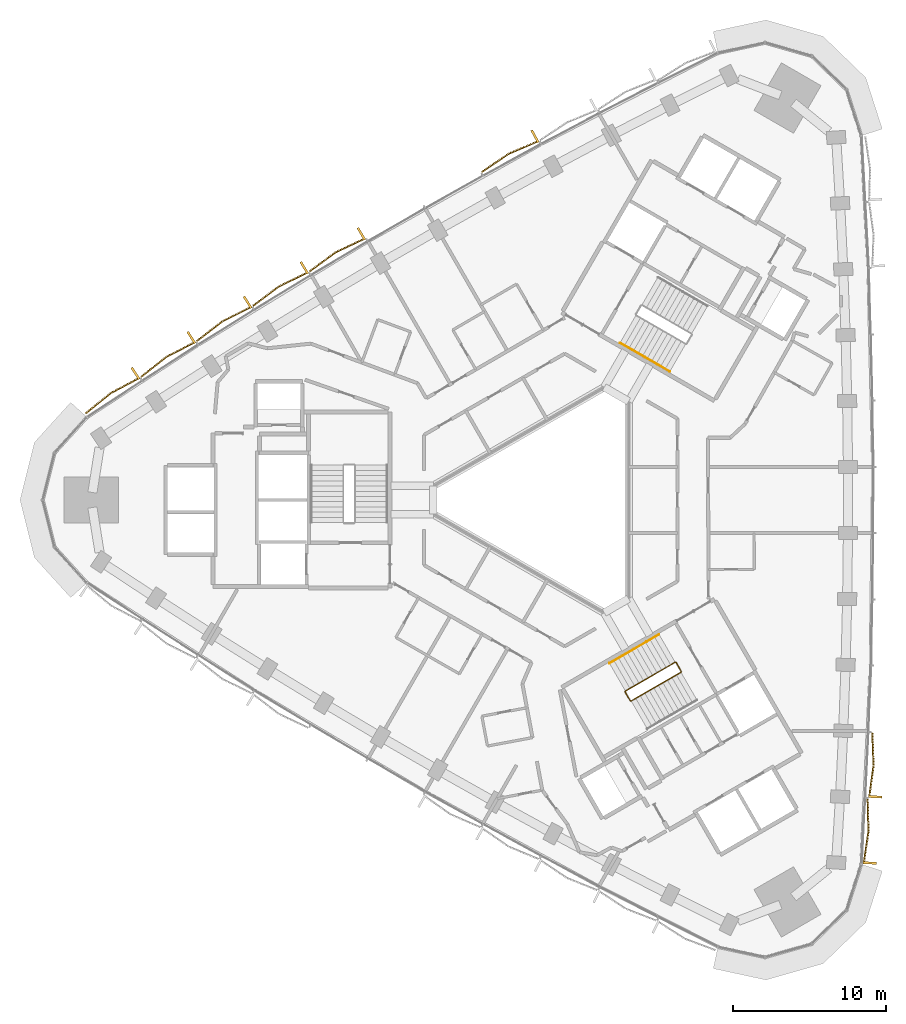
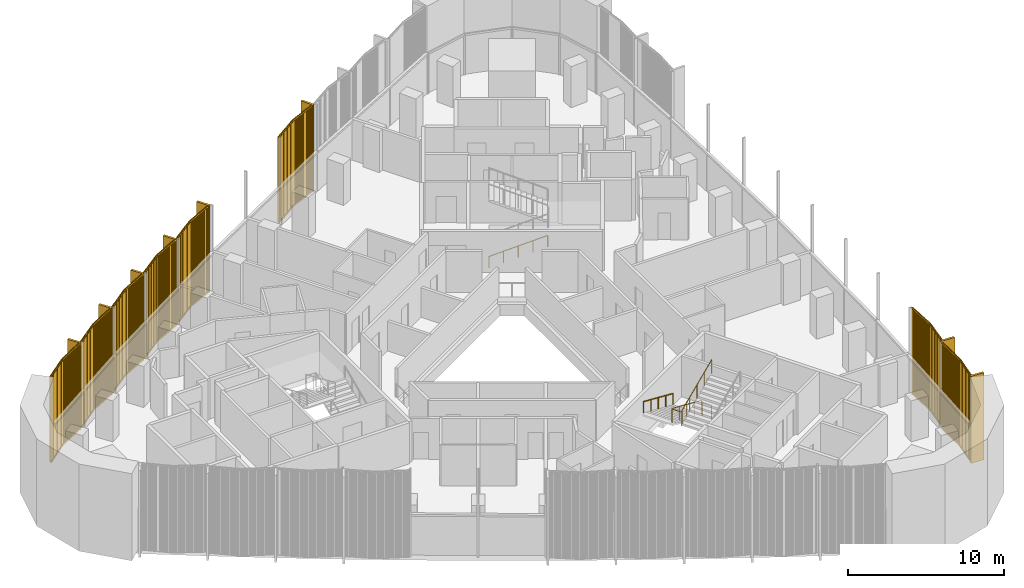
# One storey, part 14 of 15: 8 coverings, 3 railings.
"""IFC4 building model written with IfcOpenShell, lengths in metres."""

from ifc_helpers import new_model, si_unit, direction, frame, frame_2d, origin, origin_2d, place, context, subcontext, project, spatial, rectangle, circle, extrude, source, transform, mapped, material, type_object, element, save


model = new_model("IFC4")

# Units and contexts
model_context = context("Model", 3, precision=1e-05, world=origin(), true_north=direction((0.0, 1.0)))
body_context = subcontext(model_context, "Body", "Model", "MODEL_VIEW")
ifc_project = project(units=[si_unit("LENGTHUNIT", "METRE"), si_unit("AREAUNIT", "SQUARE_METRE"), si_unit("VOLUMEUNIT", "CUBIC_METRE"), si_unit("PLANEANGLEUNIT", "RADIAN"), si_unit("MASSUNIT", "GRAM", prefix="KILO")], contexts=[model_context])

# Site, building, storey
site_placement = place(None, origin())
site = spatial("IfcSite", under=ifc_project, at=site_placement, CompositionType="ELEMENT")
building_placement = place(site_placement, origin())
building = spatial("IfcBuilding", under=site, at=building_placement, Name="Tamra Quay Hotel Tower", CompositionType="ELEMENT")
storey_placement = place(building_placement, frame((0.0, 0.0, 157.60009765625)))
storey = spatial("IfcBuildingStorey", under=building, at=storey_placement, Name="L39", CompositionType="ELEMENT", Elevation=157.60009765625)

# Railings
ifc_material_1 = material(Name="Stair guard 1100")
railing_type_1 = type_object("IfcRailingType", Name="Stair guard 1100", PredefinedType="GUARDRAIL", material=ifc_material_1)
railing_1_placement = place(storey_placement, frame((8.245849609375, -11.221923828125, 0.0)))
element("IfcRailing", 1, at=railing_1_placement, inside=storey, type_object=railing_type_1, Name="GR", PredefinedType="GUARDRAIL", context=body_context, shape_type="SweptSolid", body=[
    extrude(circle(Radius=0.02392578125, at=origin_2d()), frame((0.0, 0.0, 1.076171875), z_axis=(-0.500043078269, 0.866000531106, 0.0), x_axis=(-0.866000531106, -0.500043078269, 0.0)), (0.0, 0.0, 1.0), 0.6591796875),
    extrude(circle(Radius=0.02392578125, at=origin_2d()), frame((-0.32958984375, 0.57080078125, 1.076171875), z_axis=(-0.41238007866, 0.110458949641, 0.904290601062), x_axis=(-0.258736085224, -0.965948051503, 0.0)), (0.0, 0.0, 1.0), 0.165771484375),
    extrude(circle(Radius=0.02392578125, at=origin_2d()), frame((-0.39794921875, 0.589111328125, 1.22607421875), z_axis=(-0.793100512587, -0.457912285461, 0.401631567183), x_axis=(0.500012686397, -0.866018079166, 0.0)), (0.0, 0.0, 1.0), 4.10791015625),
    extrude(circle(Radius=0.02392578125, at=origin_2d()), frame((-3.656005859375, -1.2919921875, 2.8759765625), z_axis=(-0.256368644879, -0.966579080015, 0.0), x_axis=(0.966579080015, -0.256368644879, 0.0)), (0.0, 0.0, 1.0), 0.070556640625),
    extrude(circle(Radius=0.02392578125, at=origin_2d()), frame((-3.674072265625, -1.360107421875, 2.8759765625), z_axis=(0.499765215335, -0.866160914346, 0.0), x_axis=(0.866160914346, 0.499765215335, 0.0)), (0.0, 0.0, 1.0), 0.658935546875),
    extrude(circle(Radius=0.02392578125, at=origin_2d()), frame((-3.3447265625, -1.930908203125, 2.8759765625), z_axis=(0.411831509231, -0.110312011401, 0.90455849349), x_axis=(0.258736085224, 0.965948051503, 0.0)), (0.0, 0.0, 1.0), 0.166015625),
    extrude(circle(Radius=0.02392578125, at=origin_2d()), frame((-3.2763671875, -1.94921875, 3.02587890625), z_axis=(0.793100512587, 0.457912285461, 0.401631567183), x_axis=(-0.500012686397, 0.866018079166, 0.0)), (0.0, 0.0, 1.0), 4.10791015625),
    extrude(circle(Radius=0.02099609375, at=origin_2d()), origin(), (0.0, 0.0, 1.0), 1.052001953125),
    extrude(circle(Radius=0.02099609375, at=origin_2d()), frame((-0.32958984375, 0.57080078125, 0.0)), (0.0, 0.0, 1.0), 1.052001953125),
    extrude(circle(Radius=0.02099609375, at=origin_2d()), frame((-0.39794921875, 0.589111328125, 0.14990234375)), (0.0, 0.0, 1.0), 1.052001953125),
    extrude(circle(Radius=0.02099609375, at=origin_2d()), frame((-1.21240234375, 0.118896484375, 0.5625)), (0.0, 0.0, 1.0), 1.052001953125),
    extrude(circle(Radius=0.02099609375, at=origin_2d()), frame((-2.02685546875, -0.3515625, 0.974853515625)), (0.0, 0.0, 1.0), 1.052001953125),
    extrude(circle(Radius=0.02099609375, at=origin_2d()), frame((-2.841552734375, -0.82177734375, 1.38720703125)), (0.0, 0.0, 1.0), 1.052001953125),
    extrude(circle(Radius=0.02099609375, at=origin_2d()), frame((-3.656005859375, -1.2919921875, 1.7998046875)), (0.0, 0.0, 1.0), 1.052001953125),
    extrude(circle(Radius=0.02099609375, at=origin_2d()), frame((-3.674072265625, -1.360107421875, 1.7998046875)), (0.0, 0.0, 1.0), 1.052001953125),
    extrude(circle(Radius=0.02099609375, at=origin_2d()), frame((-3.3447265625, -1.930908203125, 1.7998046875)), (0.0, 0.0, 1.0), 1.052001953125),
    extrude(circle(Radius=0.02099609375, at=origin_2d()), frame((-3.2763671875, -1.94921875, 1.949951171875)), (0.0, 0.0, 1.0), 1.052001953125),
    extrude(circle(Radius=0.02099609375, at=origin_2d()), frame((-2.4619140625, -1.47900390625, 2.3623046875)), (0.0, 0.0, 1.0), 1.052001953125),
    extrude(circle(Radius=0.02099609375, at=origin_2d()), frame((-1.6474609375, -1.0087890625, 2.77490234375)), (0.0, 0.0, 1.0), 1.052001953125),
    extrude(circle(Radius=0.02099609375, at=origin_2d()), frame((-0.832763671875, -0.538330078125, 3.1875)), (0.0, 0.0, 1.0), 1.052001953125),
    extrude(circle(Radius=0.02099609375, at=origin_2d()), frame((-0.018310546875, -0.068115234375, 3.599853515625)), (0.0, 0.0, 1.0), 1.052001953125),
])
ifc_material_2 = material(Name="Stair handrail 900")
railing_type_2 = type_object("IfcRailingType", Name="Stair handrail 900", PredefinedType="HANDRAIL", material=ifc_material_2)
railing_2_placement = place(storey_placement, frame((4.234375, 10.294189453125, 0.14990234375)))
element("IfcRailing", 2, at=railing_2_placement, inside=storey, type_object=railing_type_2, Name="HR", PredefinedType="HANDRAIL", context=body_context, shape_type="SweptSolid", body=[
    extrude(circle(Radius=0.02392578125, at=origin_2d()), frame((0.0, 0.0, 0.8759765625), z_axis=(0.793122095483, -0.45786531462, 0.401642496911), x_axis=(0.499964013922, 0.86604617936, 0.0)), (0.0, 0.0, 1.0), 4.10791015625),
    extrude(circle(Radius=0.02099609375, at=origin_2d()), origin(), (0.0, 0.0, 1.0), 0.851806640625),
    extrude(circle(Radius=0.02099609375, at=origin_2d()), frame((0.814453125, -0.47021484375, 0.41259765625)), (0.0, 0.0, 1.0), 0.851806640625),
    extrude(circle(Radius=0.02099609375, at=origin_2d()), frame((1.62890625, -0.9404296875, 0.824951171875)), (0.0, 0.0, 1.0), 0.851806640625),
    extrude(circle(Radius=0.02099609375, at=origin_2d()), frame((2.443603515625, -1.41064453125, 1.2373046875)), (0.0, 0.0, 1.0), 0.851806640625),
    extrude(circle(Radius=0.02099609375, at=origin_2d()), frame((3.258056640625, -1.880859375, 1.64990234375)), (0.0, 0.0, 1.0), 0.851806640625),
])
railing_3_placement = place(storey_placement, frame((6.7978515625, -8.814208984375, 0.14990234375)))
element("IfcRailing", 3, at=railing_3_placement, inside=storey, type_object=railing_type_2, Name="HR", PredefinedType="HANDRAIL", context=body_context, shape_type="SweptSolid", body=[
    extrude(circle(Radius=0.02392578125, at=origin_2d()), frame((0.0, 0.0, 0.8759765625), z_axis=(-0.79310004713, -0.457886897714, 0.401661429744), x_axis=(0.499992114976, -0.866029956157, 0.0)), (0.0, 0.0, 1.0), 4.107666015625),
    extrude(circle(Radius=0.02099609375, at=origin_2d()), origin(), (0.0, 0.0, 1.0), 0.851806640625),
    extrude(circle(Radius=0.02099609375, at=origin_2d()), frame((-0.814453125, -0.47021484375, 0.41259765625)), (0.0, 0.0, 1.0), 0.851806640625),
    extrude(circle(Radius=0.02099609375, at=origin_2d()), frame((-1.62890625, -0.9404296875, 0.824951171875)), (0.0, 0.0, 1.0), 0.851806640625),
    extrude(circle(Radius=0.02099609375, at=origin_2d()), frame((-2.443359375, -1.41064453125, 1.2373046875)), (0.0, 0.0, 1.0), 0.851806640625),
    extrude(circle(Radius=0.02099609375, at=origin_2d()), frame((-3.2578125, -1.880859375, 1.64990234375)), (0.0, 0.0, 1.0), 0.851806640625),
])

# Coverings
ifc_material_3 = material(Name="Terracotta baguette extruded", Category="masonry")
covering_type_1 = type_object("IfcCoveringType", Name="BAGUETTE SCREEN E-V H6800", PredefinedType="USERDEFINED", material=ifc_material_3)
shared_shape_1 = source(origin(), body_context, "Body", "SweptSolid", [
    extrude(rectangle(XDim=2.140625, YDim=0.06005859375, at=frame_2d((1.0703125, 0.030029296875))), frame((-2.1376953125, -0.057861328125, -0.1201171875), z_axis=(0.0, 0.0, 1.0), x_axis=(0.996194698092, -0.087155742748, 0.0)), (0.0, 0.0, 1.0), 0.1201171875),
    extrude(rectangle(XDim=2.140625, YDim=0.06005859375, at=frame_2d((1.0703125, 0.030029296875))), frame((-2.1376953125, -0.057861328125, -6.800048828125), z_axis=(0.0, 0.0, 1.0), x_axis=(0.996194698092, -0.087155742748, 0.0)), (0.0, 0.0, 1.0), 0.1201171875),
    extrude(rectangle(XDim=0.070068359375, YDim=0.10009765625, at=frame_2d((0.03515625, 0.050048828125))), frame((-2.11669921875, -0.13232421875, -6.739990234375)), (0.0, 0.0, 1.0), 6.679931640625),
    extrude(rectangle(XDim=0.070068359375, YDim=0.10009765625, at=frame_2d((0.03515625, 0.050048828125))), frame((-2.01513671875, -0.141357421875, -6.739990234375)), (0.0, 0.0, 1.0), 6.679931640625),
    extrude(rectangle(XDim=0.070068359375, YDim=0.10009765625, at=frame_2d((0.03515625, 0.050048828125))), frame((-1.91357421875, -0.150146484375, -6.739990234375)), (0.0, 0.0, 1.0), 6.679931640625),
    extrude(rectangle(XDim=0.070068359375, YDim=0.10009765625, at=frame_2d((0.03515625, 0.050048828125))), frame((-1.81201171875, -0.1591796875, -6.739990234375)), (0.0, 0.0, 1.0), 6.679931640625),
    extrude(rectangle(XDim=0.070068359375, YDim=0.10009765625, at=frame_2d((0.03515625, 0.050048828125))), frame((-1.71044921875, -0.16796875, -6.739990234375)), (0.0, 0.0, 1.0), 6.679931640625),
    extrude(rectangle(XDim=0.070068359375, YDim=0.10009765625, at=frame_2d((0.03515625, 0.050048828125))), frame((-1.60888671875, -0.1767578125, -6.739990234375)), (0.0, 0.0, 1.0), 6.679931640625),
    extrude(rectangle(XDim=0.070068359375, YDim=0.10009765625, at=frame_2d((0.03515625, 0.050048828125))), frame((-1.50732421875, -0.185791015625, -6.739990234375)), (0.0, 0.0, 1.0), 6.679931640625),
    extrude(rectangle(XDim=0.070068359375, YDim=0.10009765625, at=frame_2d((0.03515625, 0.050048828125))), frame((-1.406005859375, -0.194580078125, -6.739990234375)), (0.0, 0.0, 1.0), 6.679931640625),
    extrude(rectangle(XDim=0.070068359375, YDim=0.10009765625, at=frame_2d((0.03515625, 0.050048828125))), frame((-1.304443359375, -0.20361328125, -6.739990234375)), (0.0, 0.0, 1.0), 6.679931640625),
    extrude(rectangle(XDim=0.070068359375, YDim=0.10009765625, at=frame_2d((0.03515625, 0.050048828125))), frame((-1.202880859375, -0.21240234375, -6.739990234375)), (0.0, 0.0, 1.0), 6.679931640625),
    extrude(rectangle(XDim=0.070068359375, YDim=0.10009765625, at=frame_2d((0.03515625, 0.050048828125))), frame((-1.101318359375, -0.22119140625, -6.739990234375)), (0.0, 0.0, 1.0), 6.679931640625),
    extrude(rectangle(XDim=0.070068359375, YDim=0.10009765625, at=frame_2d((0.03515625, 0.050048828125))), frame((-0.999755859375, -0.230224609375, -6.739990234375)), (0.0, 0.0, 1.0), 6.679931640625),
    extrude(rectangle(XDim=0.070068359375, YDim=0.10009765625, at=frame_2d((0.03515625, 0.050048828125))), frame((-0.898193359375, -0.239013671875, -6.739990234375)), (0.0, 0.0, 1.0), 6.679931640625),
    extrude(rectangle(XDim=0.070068359375, YDim=0.10009765625, at=frame_2d((0.03515625, 0.050048828125))), frame((-0.796630859375, -0.248046875, -6.739990234375)), (0.0, 0.0, 1.0), 6.679931640625),
    extrude(rectangle(XDim=0.070068359375, YDim=0.10009765625, at=frame_2d((0.03515625, 0.050048828125))), frame((-0.695068359375, -0.2568359375, -6.739990234375)), (0.0, 0.0, 1.0), 6.679931640625),
    extrude(rectangle(XDim=0.070068359375, YDim=0.10009765625, at=frame_2d((0.03515625, 0.050048828125))), frame((-0.593505859375, -0.265625, -6.739990234375)), (0.0, 0.0, 1.0), 6.679931640625),
    extrude(rectangle(XDim=0.070068359375, YDim=0.10009765625, at=frame_2d((0.03515625, 0.050048828125))), frame((-0.491943359375, -0.274658203125, -6.739990234375)), (0.0, 0.0, 1.0), 6.679931640625),
    extrude(rectangle(XDim=0.070068359375, YDim=0.10009765625, at=frame_2d((0.03515625, 0.050048828125))), frame((-0.390380859375, -0.283447265625, -6.739990234375)), (0.0, 0.0, 1.0), 6.679931640625),
    extrude(rectangle(XDim=0.070068359375, YDim=0.10009765625, at=frame_2d((0.03515625, 0.050048828125))), frame((-0.288818359375, -0.29248046875, -6.739990234375)), (0.0, 0.0, 1.0), 6.679931640625),
    extrude(rectangle(XDim=0.070068359375, YDim=0.10009765625, at=frame_2d((0.03515625, 0.050048828125))), frame((-0.187255859375, -0.30126953125, -6.739990234375)), (0.0, 0.0, 1.0), 6.679931640625),
    extrude(rectangle(XDim=0.070068359375, YDim=0.10009765625, at=frame_2d((0.03515625, 0.050048828125))), frame((-0.085693359375, -0.31005859375, -6.739990234375)), (0.0, 0.0, 1.0), 6.679931640625),
    extrude(rectangle(XDim=2.140625, YDim=0.06005859375, at=frame_2d((1.0703125, 0.030029296875))), frame((0.005126953125, -0.244384765625, -0.1201171875), z_axis=(0.0, 0.0, 1.0), x_axis=(0.996194698092, 0.087155742748, 0.0)), (0.0, 0.0, 1.0), 0.1201171875),
    extrude(rectangle(XDim=2.140625, YDim=0.06005859375, at=frame_2d((1.0703125, 0.030029296875))), frame((0.005126953125, -0.244384765625, -6.800048828125), z_axis=(0.0, 0.0, 1.0), x_axis=(0.996194698092, 0.087155742748, 0.0)), (0.0, 0.0, 1.0), 0.1201171875),
    extrude(rectangle(XDim=0.070068359375, YDim=0.10009765625, at=frame_2d((0.03515625, 0.050048828125))), frame((0.015869140625, -0.31005859375, -6.739990234375)), (0.0, 0.0, 1.0), 6.679931640625),
    extrude(rectangle(XDim=0.070068359375, YDim=0.10009765625, at=frame_2d((0.03515625, 0.050048828125))), frame((0.117431640625, -0.30126953125, -6.739990234375)), (0.0, 0.0, 1.0), 6.679931640625),
    extrude(rectangle(XDim=0.070068359375, YDim=0.10009765625, at=frame_2d((0.03515625, 0.050048828125))), frame((0.21875, -0.29248046875, -6.739990234375)), (0.0, 0.0, 1.0), 6.679931640625),
    extrude(rectangle(XDim=0.070068359375, YDim=0.10009765625, at=frame_2d((0.03515625, 0.050048828125))), frame((0.3203125, -0.283447265625, -6.739990234375)), (0.0, 0.0, 1.0), 6.679931640625),
    extrude(rectangle(XDim=0.070068359375, YDim=0.10009765625, at=frame_2d((0.03515625, 0.050048828125))), frame((0.421875, -0.274658203125, -6.739990234375)), (0.0, 0.0, 1.0), 6.679931640625),
    extrude(rectangle(XDim=0.070068359375, YDim=0.10009765625, at=frame_2d((0.03515625, 0.050048828125))), frame((0.5234375, -0.265625, -6.739990234375)), (0.0, 0.0, 1.0), 6.679931640625),
    extrude(rectangle(XDim=0.070068359375, YDim=0.10009765625, at=frame_2d((0.03515625, 0.050048828125))), frame((0.625, -0.2568359375, -6.739990234375)), (0.0, 0.0, 1.0), 6.679931640625),
    extrude(rectangle(XDim=0.070068359375, YDim=0.10009765625, at=frame_2d((0.03515625, 0.050048828125))), frame((0.7265625, -0.248046875, -6.739990234375)), (0.0, 0.0, 1.0), 6.679931640625),
    extrude(rectangle(XDim=0.070068359375, YDim=0.10009765625, at=frame_2d((0.03515625, 0.050048828125))), frame((0.828125, -0.239013671875, -6.739990234375)), (0.0, 0.0, 1.0), 6.679931640625),
    extrude(rectangle(XDim=0.070068359375, YDim=0.10009765625, at=frame_2d((0.03515625, 0.050048828125))), frame((0.9296875, -0.230224609375, -6.739990234375)), (0.0, 0.0, 1.0), 6.679931640625),
    extrude(rectangle(XDim=0.070068359375, YDim=0.10009765625, at=frame_2d((0.03515625, 0.050048828125))), frame((1.03125, -0.22119140625, -6.739990234375)), (0.0, 0.0, 1.0), 6.679931640625),
    extrude(rectangle(XDim=0.070068359375, YDim=0.10009765625, at=frame_2d((0.03515625, 0.050048828125))), frame((1.1328125, -0.21240234375, -6.739990234375)), (0.0, 0.0, 1.0), 6.679931640625),
    extrude(rectangle(XDim=0.070068359375, YDim=0.10009765625, at=frame_2d((0.03515625, 0.050048828125))), frame((1.234375, -0.20361328125, -6.739990234375)), (0.0, 0.0, 1.0), 6.679931640625),
    extrude(rectangle(XDim=0.070068359375, YDim=0.10009765625, at=frame_2d((0.03515625, 0.050048828125))), frame((1.3359375, -0.194580078125, -6.739990234375)), (0.0, 0.0, 1.0), 6.679931640625),
    extrude(rectangle(XDim=0.070068359375, YDim=0.10009765625, at=frame_2d((0.03515625, 0.050048828125))), frame((1.4375, -0.185791015625, -6.739990234375)), (0.0, 0.0, 1.0), 6.679931640625),
    extrude(rectangle(XDim=0.070068359375, YDim=0.10009765625, at=frame_2d((0.03515625, 0.050048828125))), frame((1.5390625, -0.1767578125, -6.739990234375)), (0.0, 0.0, 1.0), 6.679931640625),
    extrude(rectangle(XDim=0.070068359375, YDim=0.10009765625, at=frame_2d((0.03515625, 0.050048828125))), frame((1.640625, -0.16796875, -6.739990234375)), (0.0, 0.0, 1.0), 6.679931640625),
    extrude(rectangle(XDim=0.070068359375, YDim=0.10009765625, at=frame_2d((0.03515625, 0.050048828125))), frame((1.7421875, -0.1591796875, -6.739990234375)), (0.0, 0.0, 1.0), 6.679931640625),
    extrude(rectangle(XDim=0.070068359375, YDim=0.10009765625, at=frame_2d((0.03515625, 0.050048828125))), frame((1.84375, -0.150146484375, -6.739990234375)), (0.0, 0.0, 1.0), 6.679931640625),
    extrude(rectangle(XDim=0.070068359375, YDim=0.10009765625, at=frame_2d((0.03515625, 0.050048828125))), frame((1.945068359375, -0.141357421875, -6.739990234375)), (0.0, 0.0, 1.0), 6.679931640625),
    extrude(rectangle(XDim=0.070068359375, YDim=0.10009765625, at=frame_2d((0.03515625, 0.050048828125))), frame((2.046630859375, -0.13232421875, -6.739990234375)), (0.0, 0.0, 1.0), 6.679931640625),
    extrude(rectangle(XDim=0.14990234375, YDim=0.902099609375, at=frame_2d((0.074951171875, 0.451171875))), frame((-2.132568359375, -0.89990234375, -6.800048828125)), (0.0, 0.0, 1.0), 6.800048828125),
])
for number, where, z_axis, x_axis, name in (
    (4, (20.26953125, -21.70361328125, 6.7998046875), (0.0, 0.0, 1.0), (0.05964191564, 0.998219836458, 0.0), "Baguette screen L39.E.f00"),
    (5, (20.6025390625, -17.371826171875, 6.7998046875), (0.0, 0.0, 1.0), (0.04774710654, 0.998859456489, 0.0), "Baguette screen L39.E.f01"),
):
    element("IfcCovering", number, at=place(storey_placement, frame(where, z_axis=z_axis, x_axis=x_axis)), inside=storey, type_object=covering_type_1, Name=name, ObjectType="BAGUETTE SCREEN", PredefinedType="USERDEFINED", context=body_context, shape_type="MappedRepresentation", body=[
        mapped(shared_shape_1, transform((0.0, 0.0, 0.0), scale=1.0)),
    ])
covering_type_2 = type_object("IfcCoveringType", Name="BAGUETTE SCREEN NW-V H6800", PredefinedType="USERDEFINED", material=ifc_material_3)
shared_shape_2 = source(origin(), body_context, "Body", "SweptSolid", [
    extrude(rectangle(XDim=2.142333984375, YDim=0.06005859375, at=frame_2d((1.0712890625, 0.030029296875))), frame((-2.13818359375, -0.0576171875, -0.1201171875), z_axis=(0.0, 0.0, 1.0), x_axis=(0.995396198367, -0.09584575252, 0.0)), (0.0, 0.0, 1.0), 0.1201171875),
    extrude(rectangle(XDim=2.142333984375, YDim=0.06005859375, at=frame_2d((1.0712890625, 0.030029296875))), frame((-2.13818359375, -0.0576171875, -6.800048828125), z_axis=(0.0, 0.0, 1.0), x_axis=(0.995396198367, -0.09584575252, 0.0)), (0.0, 0.0, 1.0), 0.1201171875),
    extrude(rectangle(XDim=0.070068359375, YDim=0.10009765625, at=frame_2d((0.03515625, 0.050048828125))), frame((-2.11669921875, -0.1328125, -6.739990234375)), (0.0, 0.0, 1.0), 6.679931640625),
    extrude(rectangle(XDim=0.070068359375, YDim=0.10009765625, at=frame_2d((0.03515625, 0.050048828125))), frame((-2.01513671875, -0.142578125, -6.739990234375)), (0.0, 0.0, 1.0), 6.679931640625),
    extrude(rectangle(XDim=0.070068359375, YDim=0.10009765625, at=frame_2d((0.03515625, 0.050048828125))), frame((-1.91357421875, -0.15234375, -6.739990234375)), (0.0, 0.0, 1.0), 6.679931640625),
    extrude(rectangle(XDim=0.070068359375, YDim=0.10009765625, at=frame_2d((0.03515625, 0.050048828125))), frame((-1.81201171875, -0.162109375, -6.739990234375)), (0.0, 0.0, 1.0), 6.679931640625),
    extrude(rectangle(XDim=0.070068359375, YDim=0.10009765625, at=frame_2d((0.03515625, 0.050048828125))), frame((-1.71044921875, -0.172119140625, -6.739990234375)), (0.0, 0.0, 1.0), 6.679931640625),
    extrude(rectangle(XDim=0.070068359375, YDim=0.10009765625, at=frame_2d((0.03515625, 0.050048828125))), frame((-1.60888671875, -0.181884765625, -6.739990234375)), (0.0, 0.0, 1.0), 6.679931640625),
    extrude(rectangle(XDim=0.070068359375, YDim=0.10009765625, at=frame_2d((0.03515625, 0.050048828125))), frame((-1.50732421875, -0.191650390625, -6.739990234375)), (0.0, 0.0, 1.0), 6.679931640625),
    extrude(rectangle(XDim=0.070068359375, YDim=0.10009765625, at=frame_2d((0.03515625, 0.050048828125))), frame((-1.406005859375, -0.201416015625, -6.739990234375)), (0.0, 0.0, 1.0), 6.679931640625),
    extrude(rectangle(XDim=0.070068359375, YDim=0.10009765625, at=frame_2d((0.03515625, 0.050048828125))), frame((-1.304443359375, -0.211181640625, -6.739990234375)), (0.0, 0.0, 1.0), 6.679931640625),
    extrude(rectangle(XDim=0.070068359375, YDim=0.10009765625, at=frame_2d((0.03515625, 0.050048828125))), frame((-1.202880859375, -0.220947265625, -6.739990234375)), (0.0, 0.0, 1.0), 6.679931640625),
    extrude(rectangle(XDim=0.070068359375, YDim=0.10009765625, at=frame_2d((0.03515625, 0.050048828125))), frame((-1.101318359375, -0.230712890625, -6.739990234375)), (0.0, 0.0, 1.0), 6.679931640625),
    extrude(rectangle(XDim=0.070068359375, YDim=0.10009765625, at=frame_2d((0.03515625, 0.050048828125))), frame((-0.999755859375, -0.240478515625, -6.739990234375)), (0.0, 0.0, 1.0), 6.679931640625),
    extrude(rectangle(XDim=0.070068359375, YDim=0.10009765625, at=frame_2d((0.03515625, 0.050048828125))), frame((-0.898193359375, -0.250244140625, -6.739990234375)), (0.0, 0.0, 1.0), 6.679931640625),
    extrude(rectangle(XDim=0.070068359375, YDim=0.10009765625, at=frame_2d((0.03515625, 0.050048828125))), frame((-0.796630859375, -0.260009765625, -6.739990234375)), (0.0, 0.0, 1.0), 6.679931640625),
    extrude(rectangle(XDim=0.070068359375, YDim=0.10009765625, at=frame_2d((0.03515625, 0.050048828125))), frame((-0.695068359375, -0.269775390625, -6.739990234375)), (0.0, 0.0, 1.0), 6.679931640625),
    extrude(rectangle(XDim=0.070068359375, YDim=0.10009765625, at=frame_2d((0.03515625, 0.050048828125))), frame((-0.593505859375, -0.279541015625, -6.739990234375)), (0.0, 0.0, 1.0), 6.679931640625),
    extrude(rectangle(XDim=0.070068359375, YDim=0.10009765625, at=frame_2d((0.03515625, 0.050048828125))), frame((-0.491943359375, -0.289306640625, -6.739990234375)), (0.0, 0.0, 1.0), 6.679931640625),
    extrude(rectangle(XDim=0.070068359375, YDim=0.10009765625, at=frame_2d((0.03515625, 0.050048828125))), frame((-0.390380859375, -0.299072265625, -6.739990234375)), (0.0, 0.0, 1.0), 6.679931640625),
    extrude(rectangle(XDim=0.070068359375, YDim=0.10009765625, at=frame_2d((0.03515625, 0.050048828125))), frame((-0.288818359375, -0.308837890625, -6.739990234375)), (0.0, 0.0, 1.0), 6.679931640625),
    extrude(rectangle(XDim=0.070068359375, YDim=0.10009765625, at=frame_2d((0.03515625, 0.050048828125))), frame((-0.187255859375, -0.318603515625, -6.739990234375)), (0.0, 0.0, 1.0), 6.679931640625),
    extrude(rectangle(XDim=0.070068359375, YDim=0.10009765625, at=frame_2d((0.03515625, 0.050048828125))), frame((-0.085693359375, -0.328369140625, -6.739990234375)), (0.0, 0.0, 1.0), 6.679931640625),
    extrude(rectangle(XDim=2.142333984375, YDim=0.06005859375, at=frame_2d((1.0712890625, 0.030029296875))), frame((0.005859375, -0.262939453125, -0.1201171875), z_axis=(0.0, 0.0, 1.0), x_axis=(0.995396198367, 0.09584575252, 0.0)), (0.0, 0.0, 1.0), 0.1201171875),
    extrude(rectangle(XDim=2.142333984375, YDim=0.06005859375, at=frame_2d((1.0712890625, 0.030029296875))), frame((0.005859375, -0.262939453125, -6.800048828125), z_axis=(0.0, 0.0, 1.0), x_axis=(0.995396198367, 0.09584575252, 0.0)), (0.0, 0.0, 1.0), 0.1201171875),
    extrude(rectangle(XDim=0.070068359375, YDim=0.10009765625, at=frame_2d((0.03515625, 0.050048828125))), frame((0.015869140625, -0.328369140625, -6.739990234375)), (0.0, 0.0, 1.0), 6.679931640625),
    extrude(rectangle(XDim=0.070068359375, YDim=0.10009765625, at=frame_2d((0.03515625, 0.050048828125))), frame((0.117431640625, -0.318603515625, -6.739990234375)), (0.0, 0.0, 1.0), 6.679931640625),
    extrude(rectangle(XDim=0.070068359375, YDim=0.10009765625, at=frame_2d((0.03515625, 0.050048828125))), frame((0.21875, -0.308837890625, -6.739990234375)), (0.0, 0.0, 1.0), 6.679931640625),
    extrude(rectangle(XDim=0.070068359375, YDim=0.10009765625, at=frame_2d((0.03515625, 0.050048828125))), frame((0.3203125, -0.299072265625, -6.739990234375)), (0.0, 0.0, 1.0), 6.679931640625),
    extrude(rectangle(XDim=0.070068359375, YDim=0.10009765625, at=frame_2d((0.03515625, 0.050048828125))), frame((0.421875, -0.289306640625, -6.739990234375)), (0.0, 0.0, 1.0), 6.679931640625),
    extrude(rectangle(XDim=0.070068359375, YDim=0.10009765625, at=frame_2d((0.03515625, 0.050048828125))), frame((0.5234375, -0.279541015625, -6.739990234375)), (0.0, 0.0, 1.0), 6.679931640625),
    extrude(rectangle(XDim=0.070068359375, YDim=0.10009765625, at=frame_2d((0.03515625, 0.050048828125))), frame((0.625, -0.269775390625, -6.739990234375)), (0.0, 0.0, 1.0), 6.679931640625),
    extrude(rectangle(XDim=0.070068359375, YDim=0.10009765625, at=frame_2d((0.03515625, 0.050048828125))), frame((0.7265625, -0.260009765625, -6.739990234375)), (0.0, 0.0, 1.0), 6.679931640625),
    extrude(rectangle(XDim=0.070068359375, YDim=0.10009765625, at=frame_2d((0.03515625, 0.050048828125))), frame((0.828125, -0.250244140625, -6.739990234375)), (0.0, 0.0, 1.0), 6.679931640625),
    extrude(rectangle(XDim=0.070068359375, YDim=0.10009765625, at=frame_2d((0.03515625, 0.050048828125))), frame((0.9296875, -0.240478515625, -6.739990234375)), (0.0, 0.0, 1.0), 6.679931640625),
    extrude(rectangle(XDim=0.070068359375, YDim=0.10009765625, at=frame_2d((0.03515625, 0.050048828125))), frame((1.03125, -0.230712890625, -6.739990234375)), (0.0, 0.0, 1.0), 6.679931640625),
    extrude(rectangle(XDim=0.070068359375, YDim=0.10009765625, at=frame_2d((0.03515625, 0.050048828125))), frame((1.1328125, -0.220947265625, -6.739990234375)), (0.0, 0.0, 1.0), 6.679931640625),
    extrude(rectangle(XDim=0.070068359375, YDim=0.10009765625, at=frame_2d((0.03515625, 0.050048828125))), frame((1.234375, -0.211181640625, -6.739990234375)), (0.0, 0.0, 1.0), 6.679931640625),
    extrude(rectangle(XDim=0.070068359375, YDim=0.10009765625, at=frame_2d((0.03515625, 0.050048828125))), frame((1.3359375, -0.201416015625, -6.739990234375)), (0.0, 0.0, 1.0), 6.679931640625),
    extrude(rectangle(XDim=0.070068359375, YDim=0.10009765625, at=frame_2d((0.03515625, 0.050048828125))), frame((1.4375, -0.191650390625, -6.739990234375)), (0.0, 0.0, 1.0), 6.679931640625),
    extrude(rectangle(XDim=0.070068359375, YDim=0.10009765625, at=frame_2d((0.03515625, 0.050048828125))), frame((1.5390625, -0.181884765625, -6.739990234375)), (0.0, 0.0, 1.0), 6.679931640625),
    extrude(rectangle(XDim=0.070068359375, YDim=0.10009765625, at=frame_2d((0.03515625, 0.050048828125))), frame((1.640625, -0.172119140625, -6.739990234375)), (0.0, 0.0, 1.0), 6.679931640625),
    extrude(rectangle(XDim=0.070068359375, YDim=0.10009765625, at=frame_2d((0.03515625, 0.050048828125))), frame((1.7421875, -0.162109375, -6.739990234375)), (0.0, 0.0, 1.0), 6.679931640625),
    extrude(rectangle(XDim=0.070068359375, YDim=0.10009765625, at=frame_2d((0.03515625, 0.050048828125))), frame((1.84375, -0.15234375, -6.739990234375)), (0.0, 0.0, 1.0), 6.679931640625),
    extrude(rectangle(XDim=0.070068359375, YDim=0.10009765625, at=frame_2d((0.03515625, 0.050048828125))), frame((1.945068359375, -0.142578125, -6.739990234375)), (0.0, 0.0, 1.0), 6.679931640625),
    extrude(rectangle(XDim=0.070068359375, YDim=0.10009765625, at=frame_2d((0.03515625, 0.050048828125))), frame((2.046630859375, -0.1328125, -6.739990234375)), (0.0, 0.0, 1.0), 6.679931640625),
    extrude(rectangle(XDim=0.14990234375, YDim=0.902099609375, at=frame_2d((0.074951171875, 0.451171875))), frame((-2.132568359375, -0.89990234375, -6.800048828125)), (0.0, 0.0, 1.0), 6.800048828125),
])
for number, where, z_axis, x_axis, name in (
    (6, (-2.932861328125, 22.4560546875, 6.7998046875), (0.0, 0.0, 1.0), (-0.87772619785, -0.47916252108, 0.0), "Baguette screen L39.NW.f03"),
    (7, (-14.25830078125, 16.00732421875, 6.7998046875), (0.0, 0.0, 1.0), (-0.85998498014, -0.510319345051, 0.0), "Baguette screen L39.NW.f06"),
    (8, (-17.981201171875, 13.767822265625, 6.7998046875), (0.0, 0.0, 1.0), (-0.853830014722, -0.520551924365, 0.0), "Baguette screen L39.NW.f07"),
    (9, (-21.67724609375, 11.48388671875, 6.7998046875), (0.0, 0.0, 1.0), (-0.847546396231, -0.530721307501, 0.0), "Baguette screen L39.NW.f08"),
    (10, (-25.345703125, 9.156494140625, 6.7998046875), (0.0, 0.0, 1.0), (-0.841164110859, -0.540779935465, 0.0), "Baguette screen L39.NW.f09"),
    (11, (-28.98583984375, 6.785400390625, 6.7998046875), (0.0, 0.0, 1.0), (-0.834662779115, -0.550761332303, 0.0), "Baguette screen L39.NW.f10"),
):
    element("IfcCovering", number, at=place(storey_placement, frame(where, z_axis=z_axis, x_axis=x_axis)), inside=storey, type_object=covering_type_2, Name=name, ObjectType="BAGUETTE SCREEN", PredefinedType="USERDEFINED", context=body_context, shape_type="MappedRepresentation", body=[
        mapped(shared_shape_2, transform((0.0, 0.0, 0.0), scale=1.0)),
    ])

save(model, "model.ifc")
